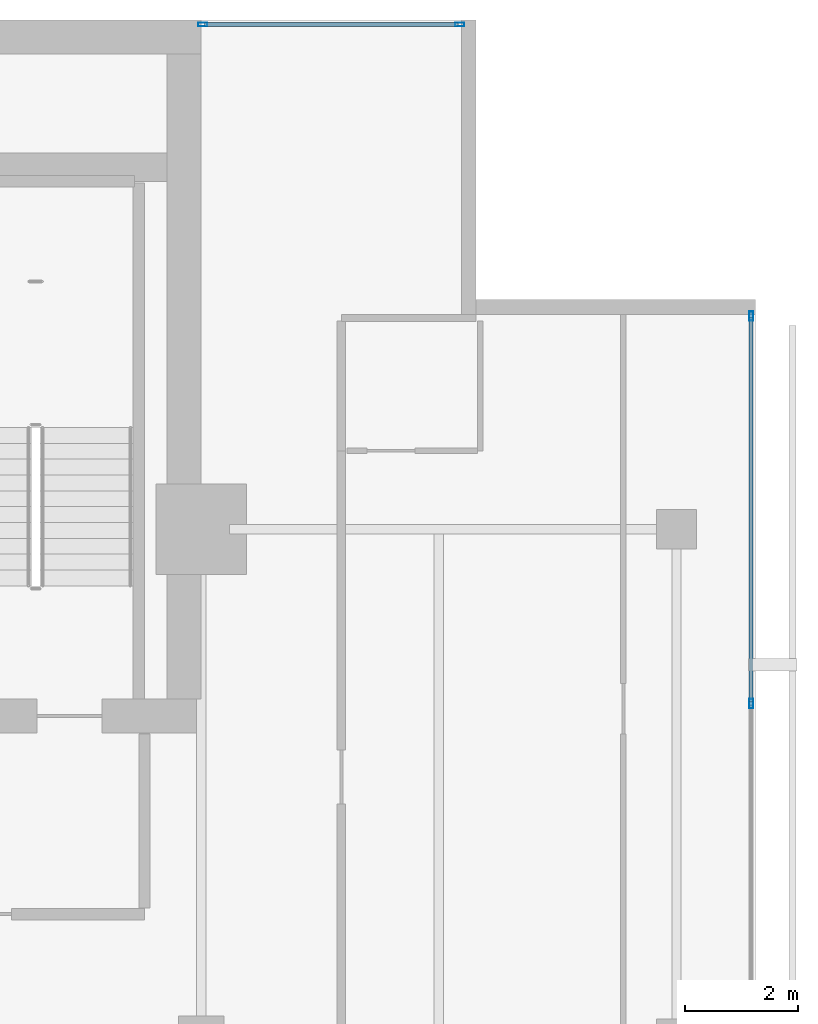
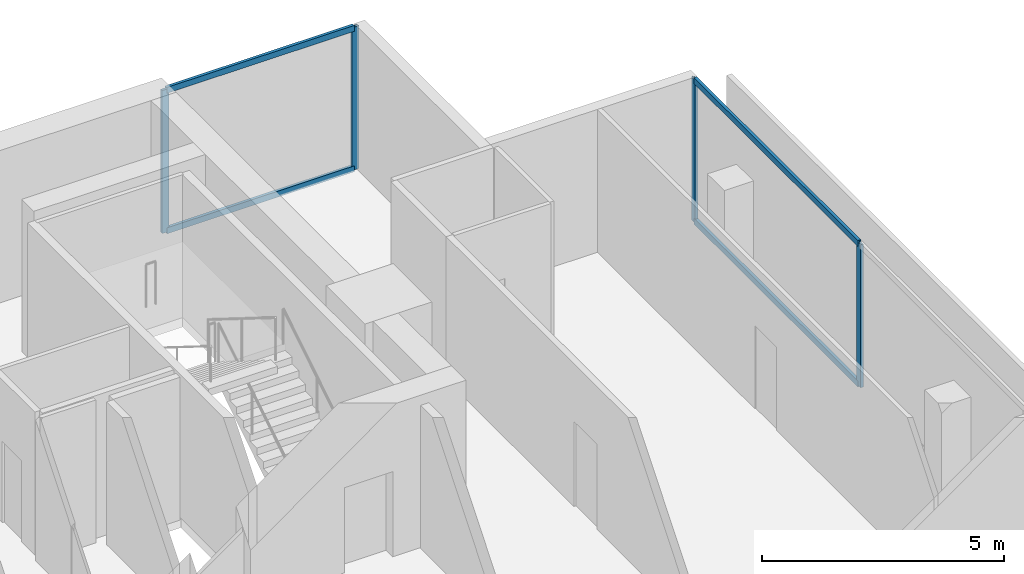
# One storey, part 18 of 25: 8 members, 2 elements without a shape of their own.
"""IFC4 building model written with IfcOpenShell, lengths in metres."""

from ifc_helpers import new_model, si_unit, direction, frame, origin, origin_2d, place, context, subcontext, project, spatial, hollow_rectangle, extrude, material, layer, layer_set, material_profile, profile_set, type_object, element, aggregate, save


model = new_model("IFC4")

# Units and contexts
model_context = context("Model", 3, precision=1e-05, world=origin(), true_north=direction((0.0, 1.0)))
body_context = subcontext(model_context, "Body", "Model", "MODEL_VIEW")
ifc_project = project(units=[si_unit("LENGTHUNIT", "METRE"), si_unit("AREAUNIT", "SQUARE_METRE"), si_unit("VOLUMEUNIT", "CUBIC_METRE"), si_unit("PLANEANGLEUNIT", "RADIAN"), si_unit("MASSUNIT", "GRAM", prefix="KILO")], contexts=[model_context])

# Site, building, storey
site_placement = place(None, origin())
site = spatial("IfcSite", under=ifc_project, at=site_placement, CompositionType="ELEMENT")
building_placement = place(site_placement, origin())
building = spatial("IfcBuilding", under=site, at=building_placement, Name="Maruvema Waterfront Hotel and Observation Tower", CompositionType="ELEMENT")
storey_placement = place(building_placement, frame((0.0, 0.0, 308.699951171875)))
storey = spatial("IfcBuildingStorey", under=building, at=storey_placement, Name="L76", CompositionType="ELEMENT", Elevation=308.699951171875)

# Curtain wall, members
ifc_material_1 = material(Name="Anodised bronze aluminium and solar-control low-E IGU", Category="aluminium")
ifc_layer = layer(ifc_material_1, 0.159912109375, Name="Zone 3 Champagne Inner Thermal Curtain Wall System CW-04")
ifc_layer_set = layer_set([ifc_layer], Name="Anodised bronze aluminium and solar-control low-E IGU")
curtain_wall_type = type_object("IfcCurtainWallType", Name="Zone 3 Champagne Inner Thermal Curtain Wall System CW-04", PredefinedType="USERDEFINED", material=ifc_layer_set)
curtain_wall_1_placement = place(storey_placement, origin())
curtain_wall_1 = element("IfcCurtainWall", 1, at=curtain_wall_1_placement, inside=storey, type_object=curtain_wall_type, Name="L76 Curtain Wall CW-L76-E", ObjectType="UNITISED CURTAIN WALL", PredefinedType="USERDEFINED")
ifc_material_2 = material(Name="Anodised architectural bronze aluminium", Category="aluminium")
ifc_material_profile_1 = material_profile(ifc_material_2, hollow_rectangle(XDim=0.070068359375, YDim=0.14990234375, WallThickness=0.00390625, at=origin_2d()), Name="ALU-T70x150")
ifc_profile_set_1 = profile_set([ifc_material_profile_1], Name="Anodised architectural bronze aluminium")
member_type_1 = type_object("IfcMemberType", Name="Curtain Wall Horizontal Transom ALU-T70x150", PredefinedType="USERDEFINED", material=ifc_profile_set_1)
member_1_placement = place(storey_placement, frame((60.1201171875, 41.949951171875, 0.030029296875), z_axis=(0.0, 1.0, 0.0), x_axis=(-1.0, 0.0, 0.0)))
member_1 = element("IfcMember", 2, at=member_1_placement, type_object=member_type_1, Name="CW-04 transom 5.1", ObjectType="TRANSOM", PredefinedType="USERDEFINED", context=body_context, shape_type="SweptSolid", body=[
    extrude(hollow_rectangle(XDim=0.070068359375, YDim=0.14990234375, WallThickness=0.00390625, at=origin_2d()), origin(), (0.0, 0.0, 1.0), 6.7900390625),
])
member_2_placement = place(storey_placement, frame((60.1201171875, 41.949951171875, 3.580078125), z_axis=(0.0, 1.0, 0.0), x_axis=(-1.0, 0.0, 0.0)))
member_2 = element("IfcMember", 3, at=member_2_placement, type_object=member_type_1, Name="CW-04 transom 5.2", ObjectType="TRANSOM", PredefinedType="USERDEFINED", context=body_context, shape_type="SweptSolid", body=[
    extrude(hollow_rectangle(XDim=0.070068359375, YDim=0.14990234375, WallThickness=0.00390625, at=origin_2d()), origin(), (0.0, 0.0, 1.0), 6.7900390625),
])

curtain_wall_2_placement = place(storey_placement, origin())
curtain_wall_2 = element("IfcCurtainWall", 4, at=curtain_wall_2_placement, inside=storey, type_object=curtain_wall_type, Name="L76 Curtain Wall CW-L76-NE", ObjectType="UNITISED CURTAIN WALL", PredefinedType="USERDEFINED")
member_3_placement = place(storey_placement, frame((54.93994140625, 53.919921875, 0.030029296875), z_axis=(-1.0, 0.0, 0.0), x_axis=(0.0, -1.0, 0.0)))
member_3 = element("IfcMember", 5, at=member_3_placement, type_object=member_type_1, Name="CW-04 transom 1.1", ObjectType="TRANSOM", PredefinedType="USERDEFINED", context=body_context, shape_type="SweptSolid", body=[
    extrude(hollow_rectangle(XDim=0.070068359375, YDim=0.14990234375, WallThickness=0.00390625, at=origin_2d()), origin(), (0.0, 0.0, 1.0), 4.47998046875),
])
member_4_placement = place(storey_placement, frame((54.93994140625, 53.919921875, 3.580078125), z_axis=(-1.0, 0.0, 0.0), x_axis=(0.0, -1.0, 0.0)))
member_4 = element("IfcMember", 6, at=member_4_placement, type_object=member_type_1, Name="CW-04 transom 1.2", ObjectType="TRANSOM", PredefinedType="USERDEFINED", context=body_context, shape_type="SweptSolid", body=[
    extrude(hollow_rectangle(XDim=0.070068359375, YDim=0.14990234375, WallThickness=0.00390625, at=origin_2d()), origin(), (0.0, 0.0, 1.0), 4.47998046875),
])

# Member
ifc_material_3 = material(Name="Anodised architectural bronze aluminium", Category="aluminium")
ifc_material_profile_2 = material_profile(ifc_material_3, hollow_rectangle(XDim=0.06494140625, YDim=0.1650390625, WallThickness=0.00390625, at=origin_2d()), Name="ALU-M65x165")
ifc_profile_set_2 = profile_set([ifc_material_profile_2], Name="Anodised architectural bronze aluminium")
member_type_2 = type_object("IfcMemberType", Name="Curtain Wall Primary Mullion ALU-M65x165", PredefinedType="MULLION", material=ifc_profile_set_2)
member_5_placement = place(storey_placement, frame((60.1201171875, 41.919921875, 0.0), z_axis=(0.0, 0.0, 1.0), x_axis=(-1.0, 0.0, 0.0)))
member_5 = element("IfcMember", 7, at=member_5_placement, type_object=member_type_2, Name="CW-04 mullion 5", PredefinedType="MULLION", context=body_context, shape_type="SweptSolid", body=[
    extrude(hollow_rectangle(XDim=0.06494140625, YDim=0.1650390625, WallThickness=0.00390625, at=origin_2d()), origin(), (0.0, 0.0, 1.0), 3.610107421875),
])

member_6_placement = place(storey_placement, frame((60.1201171875, 48.77001953125, 0.0), z_axis=(0.0, 0.0, 1.0), x_axis=(-1.0, 0.0, 0.0)))
member_6 = element("IfcMember", 8, at=member_6_placement, type_object=member_type_2, Name="CW-04 mullion 6", PredefinedType="MULLION", context=body_context, shape_type="SweptSolid", body=[
    extrude(hollow_rectangle(XDim=0.06494140625, YDim=0.1650390625, WallThickness=0.00390625, at=origin_2d()), origin(), (0.0, 0.0, 1.0), 3.610107421875),
])

aggregate(curtain_wall_1, [member_5, member_6, member_1, member_2])

member_7_placement = place(storey_placement, frame((54.969970703125, 53.919921875, 0.0), z_axis=(0.0, 0.0, 1.0), x_axis=(0.0, -1.0, 0.0)))
member_7 = element("IfcMember", 9, at=member_7_placement, type_object=member_type_2, Name="CW-04 mullion 1", PredefinedType="MULLION", context=body_context, shape_type="SweptSolid", body=[
    extrude(hollow_rectangle(XDim=0.06494140625, YDim=0.1650390625, WallThickness=0.00390625, at=origin_2d()), origin(), (0.0, 0.0, 1.0), 3.610107421875),
])

member_8_placement = place(storey_placement, frame((50.429931640625, 53.919921875, 0.0), z_axis=(0.0, 0.0, 1.0), x_axis=(0.0, -1.0, 0.0)))
member_8 = element("IfcMember", 10, at=member_8_placement, type_object=member_type_2, Name="CW-04 mullion 2", PredefinedType="MULLION", context=body_context, shape_type="SweptSolid", body=[
    extrude(hollow_rectangle(XDim=0.06494140625, YDim=0.1650390625, WallThickness=0.00390625, at=origin_2d()), origin(), (0.0, 0.0, 1.0), 3.610107421875),
])

aggregate(curtain_wall_2, [member_7, member_8, member_3, member_4])

save(model, "model.ifc")
